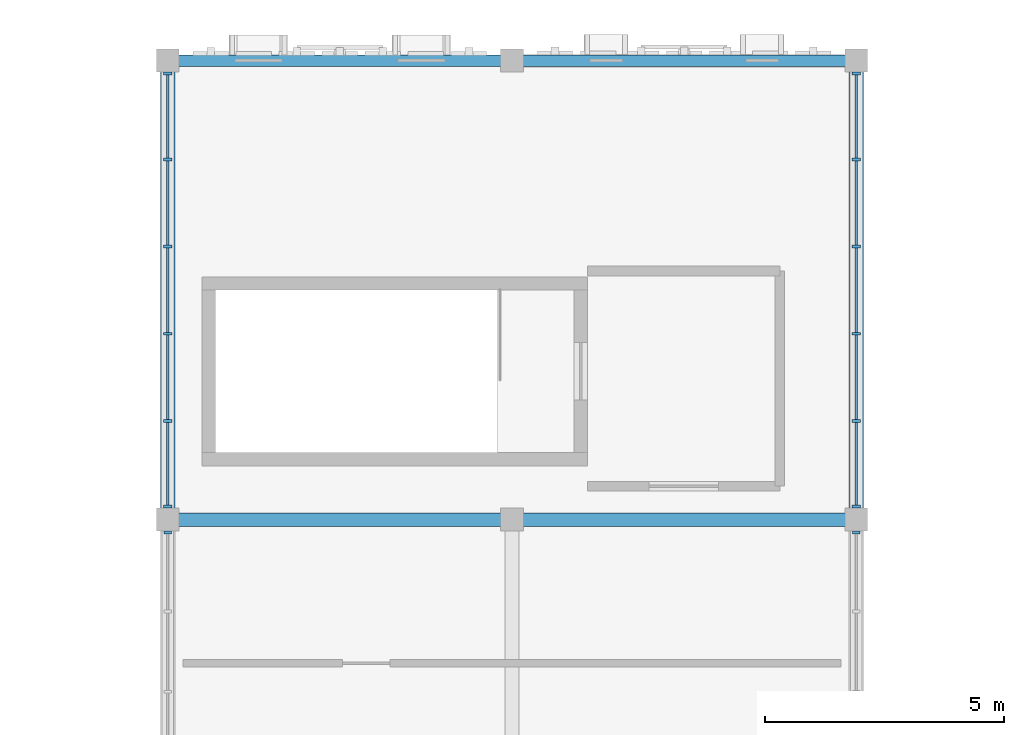
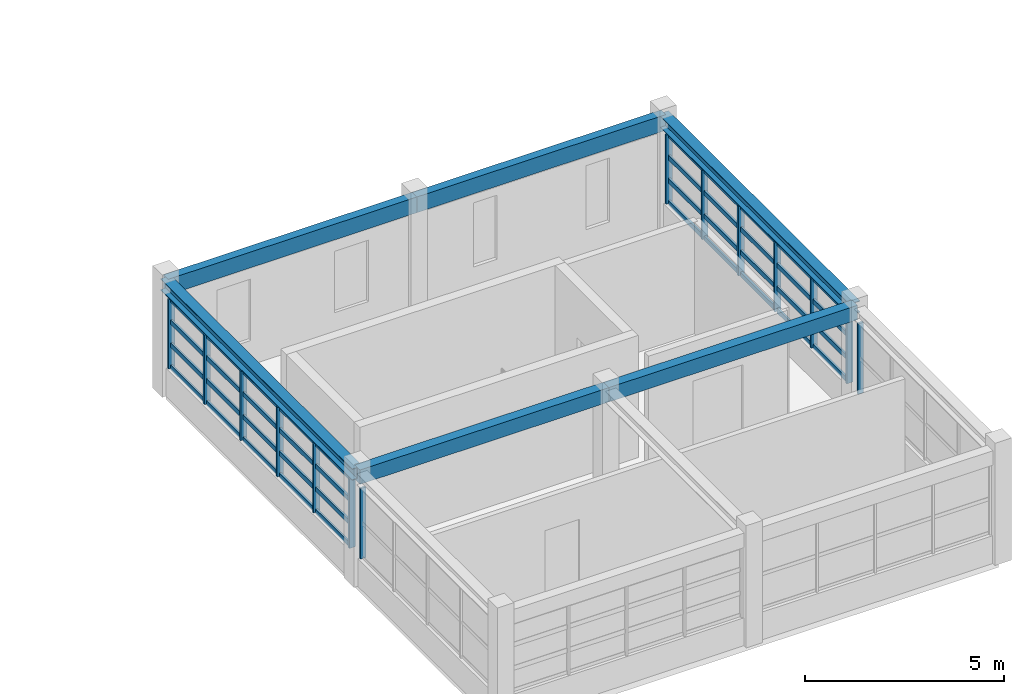
# One storey, part 12 of 53: 54 members, 6 beams, 4 elements without a shape of their own.
"""IFC4 building model written with IfcOpenShell, lengths in metres."""

from ifc_helpers import new_model, si_unit, direction, frame, origin, origin_2d, place, context, subcontext, project, spatial, rectangle, i_section, extrude, material, material_profile, profile_set, type_object, element, aggregate, save


model = new_model("IFC4")

# Units and contexts
model_context = context("Model", 3, precision=1e-05, world=origin(), true_north=direction((0.0, 1.0)))
body_context = subcontext(model_context, "Body", "Model", "MODEL_VIEW")
ifc_project = project(units=[si_unit("LENGTHUNIT", "METRE"), si_unit("AREAUNIT", "SQUARE_METRE"), si_unit("VOLUMEUNIT", "CUBIC_METRE"), si_unit("PLANEANGLEUNIT", "RADIAN"), si_unit("MASSUNIT", "GRAM", prefix="KILO")], contexts=[model_context])

# Site, building, storey
site_placement = place(None, origin())
site = spatial("IfcSite", under=ifc_project, at=site_placement, CompositionType="ELEMENT")
building_placement = place(site_placement, origin())
building = spatial("IfcBuilding", under=site, at=building_placement, Name="Nzembalo Square Collegiate School", CompositionType="ELEMENT")
storey_placement = place(building_placement, frame((0.0, 0.0, 13.60009765625)))
storey = spatial("IfcBuildingStorey", under=building, at=storey_placement, Name="L03", CompositionType="ELEMENT", Elevation=13.60009765625)

# Beams
ifc_material_1 = material(Name="Steel S355", Category="steel")
ifc_material_profile_1 = material_profile(ifc_material_1, i_section(OverallWidth=0.300048828125, OverallDepth=0.35009765625, WebThickness=0.010009765625, FlangeThickness=0.017578125, at=origin_2d()), Name="HEA 360")
ifc_profile_set_1 = profile_set([ifc_material_profile_1], Name="Steel S355")
beam_type_1 = type_object("IfcBeamType", Name="B12", PredefinedType="BEAM", material=ifc_profile_set_1)
for number, where, z_axis, x_axis, name in (
    (1, (76.800048828125, 104.39990234375, 3.27978515625), (0.0, 1.0, 0.0), (-1.0, 0.0, 0.0), "Beam B12 L03"),
    (2, (91.199951171875, 104.39990234375, 3.27978515625), (0.0, 1.0, 0.0), (-1.0, 0.0, 0.0), "Beam B12 L03"),
):
    element("IfcBeam", number, at=place(storey_placement, frame(where, z_axis=z_axis, x_axis=x_axis)), inside=storey, type_object=beam_type_1, Name=name, PredefinedType="BEAM", context=body_context, shape_type="SweptSolid", body=[
        extrude(i_section(OverallWidth=0.300048828125, OverallDepth=0.35009765625, WebThickness=0.010009765625, FlangeThickness=0.017578125, at=origin_2d()), origin(), (0.0, 0.0, 1.0), 9.60009765625),
    ])
ifc_material_2 = material(Name="Glulam GL32h", Category="wood")
ifc_material_profile_2 = material_profile(ifc_material_2, rectangle(XDim=0.280029296875, YDim=0.43994140625, at=origin_2d()), Name="GL32h 280x440")
ifc_profile_set_2 = profile_set([ifc_material_profile_2], Name="Glulam GL32h")
beam_type_2 = type_object("IfcBeamType", Name="B14", PredefinedType="BEAM", material=ifc_profile_set_2)
for number, where, z_axis, x_axis, name in (
    (3, (76.800048828125, 104.39990234375, 3.23486328125), (1.0, 0.0, 0.0), (0.0, 1.0, 0.0), "Beam B14 L03"),
    (4, (84.0, 104.39990234375, 3.23486328125), (1.0, 0.0, 0.0), (0.0, 1.0, 0.0), "Beam B14 L03"),
):
    element("IfcBeam", number, at=place(storey_placement, frame(where, z_axis=z_axis, x_axis=x_axis)), inside=storey, type_object=beam_type_2, Name=name, PredefinedType="BEAM", context=body_context, shape_type="SweptSolid", body=[
        extrude(rectangle(XDim=0.280029296875, YDim=0.43994140625, at=origin_2d()), origin(), (0.0, 0.0, 1.0), 7.199951171875),
    ])
ifc_material_3 = material(Name="Glulam GL28h", Category="wood")
ifc_material_profile_3 = material_profile(ifc_material_3, rectangle(XDim=0.239990234375, YDim=0.47998046875, at=origin_2d()), Name="GL28h 240x480")
ifc_profile_set_3 = profile_set([ifc_material_profile_3], Name="Glulam GL28h")
beam_type_3 = type_object("IfcBeamType", Name="SP02", PredefinedType="SPANDREL", material=ifc_profile_set_3)
for number, where, z_axis, x_axis, name in (
    (5, (76.800048828125, 114.0, 3.21484375), (1.0, 0.0, 0.0), (0.0, 1.0, 0.0), "Beam SP02 L03"),
    (6, (84.0, 114.0, 3.21484375), (1.0, 0.0, 0.0), (0.0, 1.0, 0.0), "Beam SP02 L03"),
):
    element("IfcBeam", number, at=place(storey_placement, frame(where, z_axis=z_axis, x_axis=x_axis)), inside=storey, type_object=beam_type_3, Name=name, PredefinedType="SPANDREL", context=body_context, shape_type="SweptSolid", body=[
        extrude(rectangle(XDim=0.239990234375, YDim=0.47998046875, at=origin_2d()), origin(), (0.0, 0.0, 1.0), 7.199951171875),
    ])

# Curtain wall, members
ifc_material_4 = material(Name="Aluminium 6060-T66", Category="aluminium")
curtain_wall_type_1 = type_object("IfcCurtainWallType", Name="CW-09", PredefinedType="USERDEFINED", material=ifc_material_4)
curtain_wall_1_placement = place(storey_placement, origin())
curtain_wall_1 = element("IfcCurtainWall", 7, at=curtain_wall_1_placement, inside=storey, type_object=curtain_wall_type_1, Name="Curtain wall CW-09 cw:L03:132", ObjectType="UNITISED", PredefinedType="USERDEFINED")
ifc_material_5 = material(Name="Aluminium 6060-T66", Category="aluminium")
ifc_material_profile_4 = material_profile(ifc_material_5, rectangle(XDim=0.06005859375, YDim=0.179931640625, at=origin_2d()), Name="ALU M60x180")
ifc_profile_set_4 = profile_set([ifc_material_profile_4], Name="Aluminium 6060-T66")
member_type_1 = type_object("IfcMemberType", Name="ML01", PredefinedType="MULLION", material=ifc_profile_set_4)
member_1_placement = place(storey_placement, frame((91.199951171875, 104.672119140625, 0.849853515625), z_axis=(0.0, 0.0, 1.0), x_axis=(0.0, 1.0, 0.0)))
member_1 = element("IfcMember", 8, at=member_1_placement, type_object=member_type_1, Name="ML01 mullion 1", PredefinedType="MULLION", context=body_context, shape_type="SweptSolid", body=[
    extrude(rectangle(XDim=0.06005859375, YDim=0.179931640625, at=origin_2d()), origin(), (0.0, 0.0, 1.0), 2.119140625),
])
member_2_placement = place(storey_placement, frame((91.199951171875, 106.465087890625, 0.849853515625), z_axis=(0.0, 0.0, 1.0), x_axis=(0.0, 1.0, 0.0)))
member_2 = element("IfcMember", 9, at=member_2_placement, type_object=member_type_1, Name="ML01 mullion 2", PredefinedType="MULLION", context=body_context, shape_type="SweptSolid", body=[
    extrude(rectangle(XDim=0.06005859375, YDim=0.179931640625, at=origin_2d()), origin(), (0.0, 0.0, 1.0), 2.119140625),
])
member_3_placement = place(storey_placement, frame((91.199951171875, 108.288330078125, 0.849853515625), z_axis=(0.0, 0.0, 1.0), x_axis=(0.0, 1.0, 0.0)))
member_3 = element("IfcMember", 10, at=member_3_placement, type_object=member_type_1, Name="ML01 mullion 3", PredefinedType="MULLION", context=body_context, shape_type="SweptSolid", body=[
    extrude(rectangle(XDim=0.06005859375, YDim=0.179931640625, at=origin_2d()), origin(), (0.0, 0.0, 1.0), 2.119140625),
])
member_4_placement = place(storey_placement, frame((91.199951171875, 110.111572265625, 0.849853515625), z_axis=(0.0, 0.0, 1.0), x_axis=(0.0, 1.0, 0.0)))
member_4 = element("IfcMember", 11, at=member_4_placement, type_object=member_type_1, Name="ML01 mullion 4", PredefinedType="MULLION", context=body_context, shape_type="SweptSolid", body=[
    extrude(rectangle(XDim=0.06005859375, YDim=0.179931640625, at=origin_2d()), origin(), (0.0, 0.0, 1.0), 2.119140625),
])
member_5_placement = place(storey_placement, frame((91.199951171875, 111.934814453125, 0.849853515625), z_axis=(0.0, 0.0, 1.0), x_axis=(0.0, 1.0, 0.0)))
member_5 = element("IfcMember", 12, at=member_5_placement, type_object=member_type_1, Name="ML01 mullion 5", PredefinedType="MULLION", context=body_context, shape_type="SweptSolid", body=[
    extrude(rectangle(XDim=0.06005859375, YDim=0.179931640625, at=origin_2d()), origin(), (0.0, 0.0, 1.0), 2.119140625),
])
member_6_placement = place(storey_placement, frame((91.199951171875, 113.72802734375, 0.849853515625), z_axis=(0.0, 0.0, 1.0), x_axis=(0.0, 1.0, 0.0)))
member_6 = element("IfcMember", 13, at=member_6_placement, type_object=member_type_1, Name="ML01 mullion 6", PredefinedType="MULLION", context=body_context, shape_type="SweptSolid", body=[
    extrude(rectangle(XDim=0.06005859375, YDim=0.179931640625, at=origin_2d()), origin(), (0.0, 0.0, 1.0), 2.119140625),
])

curtain_wall_2_placement = place(storey_placement, origin())
curtain_wall_2 = element("IfcCurtainWall", 14, at=curtain_wall_2_placement, inside=storey, type_object=curtain_wall_type_1, Name="Curtain wall CW-09 cw:L03:136", ObjectType="UNITISED", PredefinedType="USERDEFINED")
member_7_placement = place(storey_placement, frame((76.800048828125, 104.672119140625, 0.849853515625), z_axis=(0.0, 0.0, 1.0), x_axis=(0.0, 1.0, 0.0)))
member_7 = element("IfcMember", 15, at=member_7_placement, type_object=member_type_1, Name="ML01 mullion 1", PredefinedType="MULLION", context=body_context, shape_type="SweptSolid", body=[
    extrude(rectangle(XDim=0.06005859375, YDim=0.179931640625, at=origin_2d()), origin(), (0.0, 0.0, 1.0), 2.119140625),
])
member_8_placement = place(storey_placement, frame((76.800048828125, 106.465087890625, 0.849853515625), z_axis=(0.0, 0.0, 1.0), x_axis=(0.0, 1.0, 0.0)))
member_8 = element("IfcMember", 16, at=member_8_placement, type_object=member_type_1, Name="ML01 mullion 2", PredefinedType="MULLION", context=body_context, shape_type="SweptSolid", body=[
    extrude(rectangle(XDim=0.06005859375, YDim=0.179931640625, at=origin_2d()), origin(), (0.0, 0.0, 1.0), 2.119140625),
])
member_9_placement = place(storey_placement, frame((76.800048828125, 108.288330078125, 0.849853515625), z_axis=(0.0, 0.0, 1.0), x_axis=(0.0, 1.0, 0.0)))
member_9 = element("IfcMember", 17, at=member_9_placement, type_object=member_type_1, Name="ML01 mullion 3", PredefinedType="MULLION", context=body_context, shape_type="SweptSolid", body=[
    extrude(rectangle(XDim=0.06005859375, YDim=0.179931640625, at=origin_2d()), origin(), (0.0, 0.0, 1.0), 2.119140625),
])
member_10_placement = place(storey_placement, frame((76.800048828125, 110.111572265625, 0.849853515625), z_axis=(0.0, 0.0, 1.0), x_axis=(0.0, 1.0, 0.0)))
member_10 = element("IfcMember", 18, at=member_10_placement, type_object=member_type_1, Name="ML01 mullion 4", PredefinedType="MULLION", context=body_context, shape_type="SweptSolid", body=[
    extrude(rectangle(XDim=0.06005859375, YDim=0.179931640625, at=origin_2d()), origin(), (0.0, 0.0, 1.0), 2.119140625),
])
member_11_placement = place(storey_placement, frame((76.800048828125, 111.934814453125, 0.849853515625), z_axis=(0.0, 0.0, 1.0), x_axis=(0.0, 1.0, 0.0)))
member_11 = element("IfcMember", 19, at=member_11_placement, type_object=member_type_1, Name="ML01 mullion 5", PredefinedType="MULLION", context=body_context, shape_type="SweptSolid", body=[
    extrude(rectangle(XDim=0.06005859375, YDim=0.179931640625, at=origin_2d()), origin(), (0.0, 0.0, 1.0), 2.119140625),
])
member_12_placement = place(storey_placement, frame((76.800048828125, 113.72802734375, 0.849853515625), z_axis=(0.0, 0.0, 1.0), x_axis=(0.0, 1.0, 0.0)))
member_12 = element("IfcMember", 20, at=member_12_placement, type_object=member_type_1, Name="ML01 mullion 6", PredefinedType="MULLION", context=body_context, shape_type="SweptSolid", body=[
    extrude(rectangle(XDim=0.06005859375, YDim=0.179931640625, at=origin_2d()), origin(), (0.0, 0.0, 1.0), 2.119140625),
])

# Curtain wall, member
ifc_material_6 = material(Name="Aluminium 6060-T66", Category="aluminium")
curtain_wall_type_2 = type_object("IfcCurtainWallType", Name="CW-04", PredefinedType="USERDEFINED", material=ifc_material_6)
curtain_wall_3_placement = place(storey_placement, origin())
curtain_wall_3 = element("IfcCurtainWall", 21, at=curtain_wall_3_placement, inside=storey, type_object=curtain_wall_type_2, Name="Curtain wall CW-04 cw:L03:131", ObjectType="UNITISED", PredefinedType="USERDEFINED")
ifc_material_7 = material(Name="Aluminium 6060-T66", Category="aluminium")
ifc_material_profile_5 = material_profile(ifc_material_7, rectangle(XDim=0.06005859375, YDim=0.14990234375, at=origin_2d()), Name="ALU M60x150")
ifc_profile_set_5 = profile_set([ifc_material_profile_5], Name="Aluminium 6060-T66")
member_type_2 = type_object("IfcMemberType", Name="ML02", PredefinedType="MULLION", material=ifc_profile_set_5)
member_13_placement = place(storey_placement, frame((91.199951171875, 104.1279296875, 0.849853515625), z_axis=(0.0, 0.0, 1.0), x_axis=(0.0, 1.0, 0.0)))
member_13 = element("IfcMember", 22, at=member_13_placement, type_object=member_type_2, Name="ML02 mullion 5", PredefinedType="MULLION", context=body_context, shape_type="SweptSolid", body=[
    extrude(rectangle(XDim=0.06005859375, YDim=0.14990234375, at=origin_2d()), origin(), (0.0, 0.0, 1.0), 2.158935546875),
])
aggregate(curtain_wall_3, [member_13])

ifc_material_8 = material(Name="Aluminium 6060-T66", Category="aluminium")
curtain_wall_type_3 = type_object("IfcCurtainWallType", Name="CW-08", PredefinedType="USERDEFINED", material=ifc_material_8)
curtain_wall_4_placement = place(storey_placement, origin())
curtain_wall_4 = element("IfcCurtainWall", 23, at=curtain_wall_4_placement, inside=storey, type_object=curtain_wall_type_3, Name="Curtain wall CW-08 cw:L03:135", ObjectType="LANCET", PredefinedType="USERDEFINED")
member_14_placement = place(storey_placement, frame((76.800048828125, 104.1279296875, 0.849853515625), z_axis=(0.0, 0.0, 1.0), x_axis=(0.0, 1.0, 0.0)))
member_14 = element("IfcMember", 24, at=member_14_placement, type_object=member_type_2, Name="ML02 mullion 5", PredefinedType="MULLION", context=body_context, shape_type="SweptSolid", body=[
    extrude(rectangle(XDim=0.06005859375, YDim=0.14990234375, at=origin_2d()), origin(), (0.0, 0.0, 1.0), 2.158935546875),
])
aggregate(curtain_wall_4, [member_14])

# Member
ifc_material_9 = material(Name="Aluminium 6060-T66", Category="aluminium")
ifc_material_profile_6 = material_profile(ifc_material_9, rectangle(XDim=0.06005859375, YDim=0.139892578125, at=origin_2d()), Name="ALU T60x140")
ifc_profile_set_6 = profile_set([ifc_material_profile_6], Name="Aluminium 6060-T66")
member_type_3 = type_object("IfcMemberType", Name="TR01", PredefinedType="USERDEFINED", material=ifc_profile_set_6)
member_15_placement = place(storey_placement, frame((91.199951171875, 104.701904296875, 0.8798828125), z_axis=(0.0, 1.0, 0.0), x_axis=(-1.0, 0.0, 0.0)))
member_15 = element("IfcMember", 25, at=member_15_placement, type_object=member_type_3, Name="TR01 transom 1-1", ObjectType="TRANSOM", PredefinedType="USERDEFINED", context=body_context, shape_type="SweptSolid", body=[
    extrude(rectangle(XDim=0.06005859375, YDim=0.139892578125, at=origin_2d()), origin(), (0.0, 0.0, 1.0), 1.7333984375),
])

member_16_placement = place(storey_placement, frame((91.199951171875, 106.4951171875, 0.8798828125), z_axis=(0.0, 1.0, 0.0), x_axis=(-1.0, 0.0, 0.0)))
member_16 = element("IfcMember", 26, at=member_16_placement, type_object=member_type_3, Name="TR01 transom 1-2", ObjectType="TRANSOM", PredefinedType="USERDEFINED", context=body_context, shape_type="SweptSolid", body=[
    extrude(rectangle(XDim=0.06005859375, YDim=0.139892578125, at=origin_2d()), origin(), (0.0, 0.0, 1.0), 1.76318359375),
])

member_17_placement = place(storey_placement, frame((91.199951171875, 108.318359375, 0.8798828125), z_axis=(0.0, 1.0, 0.0), x_axis=(-1.0, 0.0, 0.0)))
member_17 = element("IfcMember", 27, at=member_17_placement, type_object=member_type_3, Name="TR01 transom 1-3", ObjectType="TRANSOM", PredefinedType="USERDEFINED", context=body_context, shape_type="SweptSolid", body=[
    extrude(rectangle(XDim=0.06005859375, YDim=0.139892578125, at=origin_2d()), origin(), (0.0, 0.0, 1.0), 1.76318359375),
])

member_18_placement = place(storey_placement, frame((91.199951171875, 110.1416015625, 0.8798828125), z_axis=(0.0, 1.0, 0.0), x_axis=(-1.0, 0.0, 0.0)))
member_18 = element("IfcMember", 28, at=member_18_placement, type_object=member_type_3, Name="TR01 transom 1-4", ObjectType="TRANSOM", PredefinedType="USERDEFINED", context=body_context, shape_type="SweptSolid", body=[
    extrude(rectangle(XDim=0.06005859375, YDim=0.139892578125, at=origin_2d()), origin(), (0.0, 0.0, 1.0), 1.76318359375),
])

member_19_placement = place(storey_placement, frame((91.199951171875, 111.96484375, 0.8798828125), z_axis=(0.0, 1.0, 0.0), x_axis=(-1.0, 0.0, 0.0)))
member_19 = element("IfcMember", 29, at=member_19_placement, type_object=member_type_3, Name="TR01 transom 1-5", ObjectType="TRANSOM", PredefinedType="USERDEFINED", context=body_context, shape_type="SweptSolid", body=[
    extrude(rectangle(XDim=0.06005859375, YDim=0.139892578125, at=origin_2d()), origin(), (0.0, 0.0, 1.0), 1.733154296875),
])

member_20_placement = place(storey_placement, frame((91.199951171875, 104.701904296875, 1.55615234375), z_axis=(0.0, 1.0, 0.0), x_axis=(-1.0, 0.0, 0.0)))
member_20 = element("IfcMember", 30, at=member_20_placement, type_object=member_type_3, Name="TR01 transom 2-1", ObjectType="TRANSOM", PredefinedType="USERDEFINED", context=body_context, shape_type="SweptSolid", body=[
    extrude(rectangle(XDim=0.06005859375, YDim=0.139892578125, at=origin_2d()), origin(), (0.0, 0.0, 1.0), 1.7333984375),
])

member_21_placement = place(storey_placement, frame((91.199951171875, 106.4951171875, 1.55615234375), z_axis=(0.0, 1.0, 0.0), x_axis=(-1.0, 0.0, 0.0)))
member_21 = element("IfcMember", 31, at=member_21_placement, type_object=member_type_3, Name="TR01 transom 2-2", ObjectType="TRANSOM", PredefinedType="USERDEFINED", context=body_context, shape_type="SweptSolid", body=[
    extrude(rectangle(XDim=0.06005859375, YDim=0.139892578125, at=origin_2d()), origin(), (0.0, 0.0, 1.0), 1.76318359375),
])

member_22_placement = place(storey_placement, frame((91.199951171875, 108.318359375, 1.55615234375), z_axis=(0.0, 1.0, 0.0), x_axis=(-1.0, 0.0, 0.0)))
member_22 = element("IfcMember", 32, at=member_22_placement, type_object=member_type_3, Name="TR01 transom 2-3", ObjectType="TRANSOM", PredefinedType="USERDEFINED", context=body_context, shape_type="SweptSolid", body=[
    extrude(rectangle(XDim=0.06005859375, YDim=0.139892578125, at=origin_2d()), origin(), (0.0, 0.0, 1.0), 1.76318359375),
])

member_23_placement = place(storey_placement, frame((91.199951171875, 110.1416015625, 1.55615234375), z_axis=(0.0, 1.0, 0.0), x_axis=(-1.0, 0.0, 0.0)))
member_23 = element("IfcMember", 33, at=member_23_placement, type_object=member_type_3, Name="TR01 transom 2-4", ObjectType="TRANSOM", PredefinedType="USERDEFINED", context=body_context, shape_type="SweptSolid", body=[
    extrude(rectangle(XDim=0.06005859375, YDim=0.139892578125, at=origin_2d()), origin(), (0.0, 0.0, 1.0), 1.76318359375),
])

member_24_placement = place(storey_placement, frame((91.199951171875, 111.96484375, 1.55615234375), z_axis=(0.0, 1.0, 0.0), x_axis=(-1.0, 0.0, 0.0)))
member_24 = element("IfcMember", 34, at=member_24_placement, type_object=member_type_3, Name="TR01 transom 2-5", ObjectType="TRANSOM", PredefinedType="USERDEFINED", context=body_context, shape_type="SweptSolid", body=[
    extrude(rectangle(XDim=0.06005859375, YDim=0.139892578125, at=origin_2d()), origin(), (0.0, 0.0, 1.0), 1.733154296875),
])

member_25_placement = place(storey_placement, frame((91.199951171875, 104.701904296875, 2.262451171875), z_axis=(0.0, 1.0, 0.0), x_axis=(-1.0, 0.0, 0.0)))
member_25 = element("IfcMember", 35, at=member_25_placement, type_object=member_type_3, Name="TR01 transom 3-1", ObjectType="TRANSOM", PredefinedType="USERDEFINED", context=body_context, shape_type="SweptSolid", body=[
    extrude(rectangle(XDim=0.06005859375, YDim=0.139892578125, at=origin_2d()), origin(), (0.0, 0.0, 1.0), 1.7333984375),
])

member_26_placement = place(storey_placement, frame((91.199951171875, 106.4951171875, 2.262451171875), z_axis=(0.0, 1.0, 0.0), x_axis=(-1.0, 0.0, 0.0)))
member_26 = element("IfcMember", 36, at=member_26_placement, type_object=member_type_3, Name="TR01 transom 3-2", ObjectType="TRANSOM", PredefinedType="USERDEFINED", context=body_context, shape_type="SweptSolid", body=[
    extrude(rectangle(XDim=0.06005859375, YDim=0.139892578125, at=origin_2d()), origin(), (0.0, 0.0, 1.0), 1.76318359375),
])

member_27_placement = place(storey_placement, frame((91.199951171875, 108.318359375, 2.262451171875), z_axis=(0.0, 1.0, 0.0), x_axis=(-1.0, 0.0, 0.0)))
member_27 = element("IfcMember", 37, at=member_27_placement, type_object=member_type_3, Name="TR01 transom 3-3", ObjectType="TRANSOM", PredefinedType="USERDEFINED", context=body_context, shape_type="SweptSolid", body=[
    extrude(rectangle(XDim=0.06005859375, YDim=0.139892578125, at=origin_2d()), origin(), (0.0, 0.0, 1.0), 1.76318359375),
])

member_28_placement = place(storey_placement, frame((91.199951171875, 110.1416015625, 2.262451171875), z_axis=(0.0, 1.0, 0.0), x_axis=(-1.0, 0.0, 0.0)))
member_28 = element("IfcMember", 38, at=member_28_placement, type_object=member_type_3, Name="TR01 transom 3-4", ObjectType="TRANSOM", PredefinedType="USERDEFINED", context=body_context, shape_type="SweptSolid", body=[
    extrude(rectangle(XDim=0.06005859375, YDim=0.139892578125, at=origin_2d()), origin(), (0.0, 0.0, 1.0), 1.76318359375),
])

member_29_placement = place(storey_placement, frame((91.199951171875, 111.96484375, 2.262451171875), z_axis=(0.0, 1.0, 0.0), x_axis=(-1.0, 0.0, 0.0)))
member_29 = element("IfcMember", 39, at=member_29_placement, type_object=member_type_3, Name="TR01 transom 3-5", ObjectType="TRANSOM", PredefinedType="USERDEFINED", context=body_context, shape_type="SweptSolid", body=[
    extrude(rectangle(XDim=0.06005859375, YDim=0.139892578125, at=origin_2d()), origin(), (0.0, 0.0, 1.0), 1.733154296875),
])

member_30_placement = place(storey_placement, frame((91.199951171875, 104.701904296875, 2.93896484375), z_axis=(0.0, 1.0, 0.0), x_axis=(-1.0, 0.0, 0.0)))
member_30 = element("IfcMember", 40, at=member_30_placement, type_object=member_type_3, Name="TR01 transom 4-1", ObjectType="TRANSOM", PredefinedType="USERDEFINED", context=body_context, shape_type="SweptSolid", body=[
    extrude(rectangle(XDim=0.06005859375, YDim=0.139892578125, at=origin_2d()), origin(), (0.0, 0.0, 1.0), 1.7333984375),
])

member_31_placement = place(storey_placement, frame((91.199951171875, 106.4951171875, 2.93896484375), z_axis=(0.0, 1.0, 0.0), x_axis=(-1.0, 0.0, 0.0)))
member_31 = element("IfcMember", 41, at=member_31_placement, type_object=member_type_3, Name="TR01 transom 4-2", ObjectType="TRANSOM", PredefinedType="USERDEFINED", context=body_context, shape_type="SweptSolid", body=[
    extrude(rectangle(XDim=0.06005859375, YDim=0.139892578125, at=origin_2d()), origin(), (0.0, 0.0, 1.0), 1.76318359375),
])

member_32_placement = place(storey_placement, frame((91.199951171875, 108.318359375, 2.93896484375), z_axis=(0.0, 1.0, 0.0), x_axis=(-1.0, 0.0, 0.0)))
member_32 = element("IfcMember", 42, at=member_32_placement, type_object=member_type_3, Name="TR01 transom 4-3", ObjectType="TRANSOM", PredefinedType="USERDEFINED", context=body_context, shape_type="SweptSolid", body=[
    extrude(rectangle(XDim=0.06005859375, YDim=0.139892578125, at=origin_2d()), origin(), (0.0, 0.0, 1.0), 1.76318359375),
])

member_33_placement = place(storey_placement, frame((91.199951171875, 110.1416015625, 2.93896484375), z_axis=(0.0, 1.0, 0.0), x_axis=(-1.0, 0.0, 0.0)))
member_33 = element("IfcMember", 43, at=member_33_placement, type_object=member_type_3, Name="TR01 transom 4-4", ObjectType="TRANSOM", PredefinedType="USERDEFINED", context=body_context, shape_type="SweptSolid", body=[
    extrude(rectangle(XDim=0.06005859375, YDim=0.139892578125, at=origin_2d()), origin(), (0.0, 0.0, 1.0), 1.76318359375),
])

member_34_placement = place(storey_placement, frame((91.199951171875, 111.96484375, 2.93896484375), z_axis=(0.0, 1.0, 0.0), x_axis=(-1.0, 0.0, 0.0)))
member_34 = element("IfcMember", 44, at=member_34_placement, type_object=member_type_3, Name="TR01 transom 4-5", ObjectType="TRANSOM", PredefinedType="USERDEFINED", context=body_context, shape_type="SweptSolid", body=[
    extrude(rectangle(XDim=0.06005859375, YDim=0.139892578125, at=origin_2d()), origin(), (0.0, 0.0, 1.0), 1.733154296875),
])

aggregate(curtain_wall_1, [member_1, member_2, member_3, member_4, member_5, member_6, member_15, member_16, member_17, member_18, member_19, member_20, member_21, member_22, member_23, member_24, member_25, member_26, member_27, member_28, member_29, member_30, member_31, member_32, member_33, member_34])

member_35_placement = place(storey_placement, frame((76.800048828125, 104.701904296875, 0.8798828125), z_axis=(0.0, 1.0, 0.0), x_axis=(-1.0, 0.0, 0.0)))
member_35 = element("IfcMember", 45, at=member_35_placement, type_object=member_type_3, Name="TR01 transom 1-1", ObjectType="TRANSOM", PredefinedType="USERDEFINED", context=body_context, shape_type="SweptSolid", body=[
    extrude(rectangle(XDim=0.06005859375, YDim=0.139892578125, at=origin_2d()), origin(), (0.0, 0.0, 1.0), 1.7333984375),
])

member_36_placement = place(storey_placement, frame((76.800048828125, 106.4951171875, 0.8798828125), z_axis=(0.0, 1.0, 0.0), x_axis=(-1.0, 0.0, 0.0)))
member_36 = element("IfcMember", 46, at=member_36_placement, type_object=member_type_3, Name="TR01 transom 1-2", ObjectType="TRANSOM", PredefinedType="USERDEFINED", context=body_context, shape_type="SweptSolid", body=[
    extrude(rectangle(XDim=0.06005859375, YDim=0.139892578125, at=origin_2d()), origin(), (0.0, 0.0, 1.0), 1.76318359375),
])

member_37_placement = place(storey_placement, frame((76.800048828125, 108.318359375, 0.8798828125), z_axis=(0.0, 1.0, 0.0), x_axis=(-1.0, 0.0, 0.0)))
member_37 = element("IfcMember", 47, at=member_37_placement, type_object=member_type_3, Name="TR01 transom 1-3", ObjectType="TRANSOM", PredefinedType="USERDEFINED", context=body_context, shape_type="SweptSolid", body=[
    extrude(rectangle(XDim=0.06005859375, YDim=0.139892578125, at=origin_2d()), origin(), (0.0, 0.0, 1.0), 1.76318359375),
])

member_38_placement = place(storey_placement, frame((76.800048828125, 110.1416015625, 0.8798828125), z_axis=(0.0, 1.0, 0.0), x_axis=(-1.0, 0.0, 0.0)))
member_38 = element("IfcMember", 48, at=member_38_placement, type_object=member_type_3, Name="TR01 transom 1-4", ObjectType="TRANSOM", PredefinedType="USERDEFINED", context=body_context, shape_type="SweptSolid", body=[
    extrude(rectangle(XDim=0.06005859375, YDim=0.139892578125, at=origin_2d()), origin(), (0.0, 0.0, 1.0), 1.76318359375),
])

member_39_placement = place(storey_placement, frame((76.800048828125, 111.96484375, 0.8798828125), z_axis=(0.0, 1.0, 0.0), x_axis=(-1.0, 0.0, 0.0)))
member_39 = element("IfcMember", 49, at=member_39_placement, type_object=member_type_3, Name="TR01 transom 1-5", ObjectType="TRANSOM", PredefinedType="USERDEFINED", context=body_context, shape_type="SweptSolid", body=[
    extrude(rectangle(XDim=0.06005859375, YDim=0.139892578125, at=origin_2d()), origin(), (0.0, 0.0, 1.0), 1.733154296875),
])

member_40_placement = place(storey_placement, frame((76.800048828125, 104.701904296875, 1.55615234375), z_axis=(0.0, 1.0, 0.0), x_axis=(-1.0, 0.0, 0.0)))
member_40 = element("IfcMember", 50, at=member_40_placement, type_object=member_type_3, Name="TR01 transom 2-1", ObjectType="TRANSOM", PredefinedType="USERDEFINED", context=body_context, shape_type="SweptSolid", body=[
    extrude(rectangle(XDim=0.06005859375, YDim=0.139892578125, at=origin_2d()), origin(), (0.0, 0.0, 1.0), 1.7333984375),
])

member_41_placement = place(storey_placement, frame((76.800048828125, 106.4951171875, 1.55615234375), z_axis=(0.0, 1.0, 0.0), x_axis=(-1.0, 0.0, 0.0)))
member_41 = element("IfcMember", 51, at=member_41_placement, type_object=member_type_3, Name="TR01 transom 2-2", ObjectType="TRANSOM", PredefinedType="USERDEFINED", context=body_context, shape_type="SweptSolid", body=[
    extrude(rectangle(XDim=0.06005859375, YDim=0.139892578125, at=origin_2d()), origin(), (0.0, 0.0, 1.0), 1.76318359375),
])

member_42_placement = place(storey_placement, frame((76.800048828125, 108.318359375, 1.55615234375), z_axis=(0.0, 1.0, 0.0), x_axis=(-1.0, 0.0, 0.0)))
member_42 = element("IfcMember", 52, at=member_42_placement, type_object=member_type_3, Name="TR01 transom 2-3", ObjectType="TRANSOM", PredefinedType="USERDEFINED", context=body_context, shape_type="SweptSolid", body=[
    extrude(rectangle(XDim=0.06005859375, YDim=0.139892578125, at=origin_2d()), origin(), (0.0, 0.0, 1.0), 1.76318359375),
])

member_43_placement = place(storey_placement, frame((76.800048828125, 110.1416015625, 1.55615234375), z_axis=(0.0, 1.0, 0.0), x_axis=(-1.0, 0.0, 0.0)))
member_43 = element("IfcMember", 53, at=member_43_placement, type_object=member_type_3, Name="TR01 transom 2-4", ObjectType="TRANSOM", PredefinedType="USERDEFINED", context=body_context, shape_type="SweptSolid", body=[
    extrude(rectangle(XDim=0.06005859375, YDim=0.139892578125, at=origin_2d()), origin(), (0.0, 0.0, 1.0), 1.76318359375),
])

member_44_placement = place(storey_placement, frame((76.800048828125, 111.96484375, 1.55615234375), z_axis=(0.0, 1.0, 0.0), x_axis=(-1.0, 0.0, 0.0)))
member_44 = element("IfcMember", 54, at=member_44_placement, type_object=member_type_3, Name="TR01 transom 2-5", ObjectType="TRANSOM", PredefinedType="USERDEFINED", context=body_context, shape_type="SweptSolid", body=[
    extrude(rectangle(XDim=0.06005859375, YDim=0.139892578125, at=origin_2d()), origin(), (0.0, 0.0, 1.0), 1.733154296875),
])

member_45_placement = place(storey_placement, frame((76.800048828125, 104.701904296875, 2.262451171875), z_axis=(0.0, 1.0, 0.0), x_axis=(-1.0, 0.0, 0.0)))
member_45 = element("IfcMember", 55, at=member_45_placement, type_object=member_type_3, Name="TR01 transom 3-1", ObjectType="TRANSOM", PredefinedType="USERDEFINED", context=body_context, shape_type="SweptSolid", body=[
    extrude(rectangle(XDim=0.06005859375, YDim=0.139892578125, at=origin_2d()), origin(), (0.0, 0.0, 1.0), 1.7333984375),
])

member_46_placement = place(storey_placement, frame((76.800048828125, 106.4951171875, 2.262451171875), z_axis=(0.0, 1.0, 0.0), x_axis=(-1.0, 0.0, 0.0)))
member_46 = element("IfcMember", 56, at=member_46_placement, type_object=member_type_3, Name="TR01 transom 3-2", ObjectType="TRANSOM", PredefinedType="USERDEFINED", context=body_context, shape_type="SweptSolid", body=[
    extrude(rectangle(XDim=0.06005859375, YDim=0.139892578125, at=origin_2d()), origin(), (0.0, 0.0, 1.0), 1.76318359375),
])

member_47_placement = place(storey_placement, frame((76.800048828125, 108.318359375, 2.262451171875), z_axis=(0.0, 1.0, 0.0), x_axis=(-1.0, 0.0, 0.0)))
member_47 = element("IfcMember", 57, at=member_47_placement, type_object=member_type_3, Name="TR01 transom 3-3", ObjectType="TRANSOM", PredefinedType="USERDEFINED", context=body_context, shape_type="SweptSolid", body=[
    extrude(rectangle(XDim=0.06005859375, YDim=0.139892578125, at=origin_2d()), origin(), (0.0, 0.0, 1.0), 1.76318359375),
])

member_48_placement = place(storey_placement, frame((76.800048828125, 110.1416015625, 2.262451171875), z_axis=(0.0, 1.0, 0.0), x_axis=(-1.0, 0.0, 0.0)))
member_48 = element("IfcMember", 58, at=member_48_placement, type_object=member_type_3, Name="TR01 transom 3-4", ObjectType="TRANSOM", PredefinedType="USERDEFINED", context=body_context, shape_type="SweptSolid", body=[
    extrude(rectangle(XDim=0.06005859375, YDim=0.139892578125, at=origin_2d()), origin(), (0.0, 0.0, 1.0), 1.76318359375),
])

member_49_placement = place(storey_placement, frame((76.800048828125, 111.96484375, 2.262451171875), z_axis=(0.0, 1.0, 0.0), x_axis=(-1.0, 0.0, 0.0)))
member_49 = element("IfcMember", 59, at=member_49_placement, type_object=member_type_3, Name="TR01 transom 3-5", ObjectType="TRANSOM", PredefinedType="USERDEFINED", context=body_context, shape_type="SweptSolid", body=[
    extrude(rectangle(XDim=0.06005859375, YDim=0.139892578125, at=origin_2d()), origin(), (0.0, 0.0, 1.0), 1.733154296875),
])

member_50_placement = place(storey_placement, frame((76.800048828125, 104.701904296875, 2.93896484375), z_axis=(0.0, 1.0, 0.0), x_axis=(-1.0, 0.0, 0.0)))
member_50 = element("IfcMember", 60, at=member_50_placement, type_object=member_type_3, Name="TR01 transom 4-1", ObjectType="TRANSOM", PredefinedType="USERDEFINED", context=body_context, shape_type="SweptSolid", body=[
    extrude(rectangle(XDim=0.06005859375, YDim=0.139892578125, at=origin_2d()), origin(), (0.0, 0.0, 1.0), 1.7333984375),
])

member_51_placement = place(storey_placement, frame((76.800048828125, 106.4951171875, 2.93896484375), z_axis=(0.0, 1.0, 0.0), x_axis=(-1.0, 0.0, 0.0)))
member_51 = element("IfcMember", 61, at=member_51_placement, type_object=member_type_3, Name="TR01 transom 4-2", ObjectType="TRANSOM", PredefinedType="USERDEFINED", context=body_context, shape_type="SweptSolid", body=[
    extrude(rectangle(XDim=0.06005859375, YDim=0.139892578125, at=origin_2d()), origin(), (0.0, 0.0, 1.0), 1.76318359375),
])

member_52_placement = place(storey_placement, frame((76.800048828125, 108.318359375, 2.93896484375), z_axis=(0.0, 1.0, 0.0), x_axis=(-1.0, 0.0, 0.0)))
member_52 = element("IfcMember", 62, at=member_52_placement, type_object=member_type_3, Name="TR01 transom 4-3", ObjectType="TRANSOM", PredefinedType="USERDEFINED", context=body_context, shape_type="SweptSolid", body=[
    extrude(rectangle(XDim=0.06005859375, YDim=0.139892578125, at=origin_2d()), origin(), (0.0, 0.0, 1.0), 1.76318359375),
])

member_53_placement = place(storey_placement, frame((76.800048828125, 110.1416015625, 2.93896484375), z_axis=(0.0, 1.0, 0.0), x_axis=(-1.0, 0.0, 0.0)))
member_53 = element("IfcMember", 63, at=member_53_placement, type_object=member_type_3, Name="TR01 transom 4-4", ObjectType="TRANSOM", PredefinedType="USERDEFINED", context=body_context, shape_type="SweptSolid", body=[
    extrude(rectangle(XDim=0.06005859375, YDim=0.139892578125, at=origin_2d()), origin(), (0.0, 0.0, 1.0), 1.76318359375),
])

member_54_placement = place(storey_placement, frame((76.800048828125, 111.96484375, 2.93896484375), z_axis=(0.0, 1.0, 0.0), x_axis=(-1.0, 0.0, 0.0)))
member_54 = element("IfcMember", 64, at=member_54_placement, type_object=member_type_3, Name="TR01 transom 4-5", ObjectType="TRANSOM", PredefinedType="USERDEFINED", context=body_context, shape_type="SweptSolid", body=[
    extrude(rectangle(XDim=0.06005859375, YDim=0.139892578125, at=origin_2d()), origin(), (0.0, 0.0, 1.0), 1.733154296875),
])

aggregate(curtain_wall_2, [member_7, member_8, member_9, member_10, member_11, member_12, member_35, member_36, member_37, member_38, member_39, member_40, member_41, member_42, member_43, member_44, member_45, member_46, member_47, member_48, member_49, member_50, member_51, member_52, member_53, member_54])

save(model, "model.ifc")
